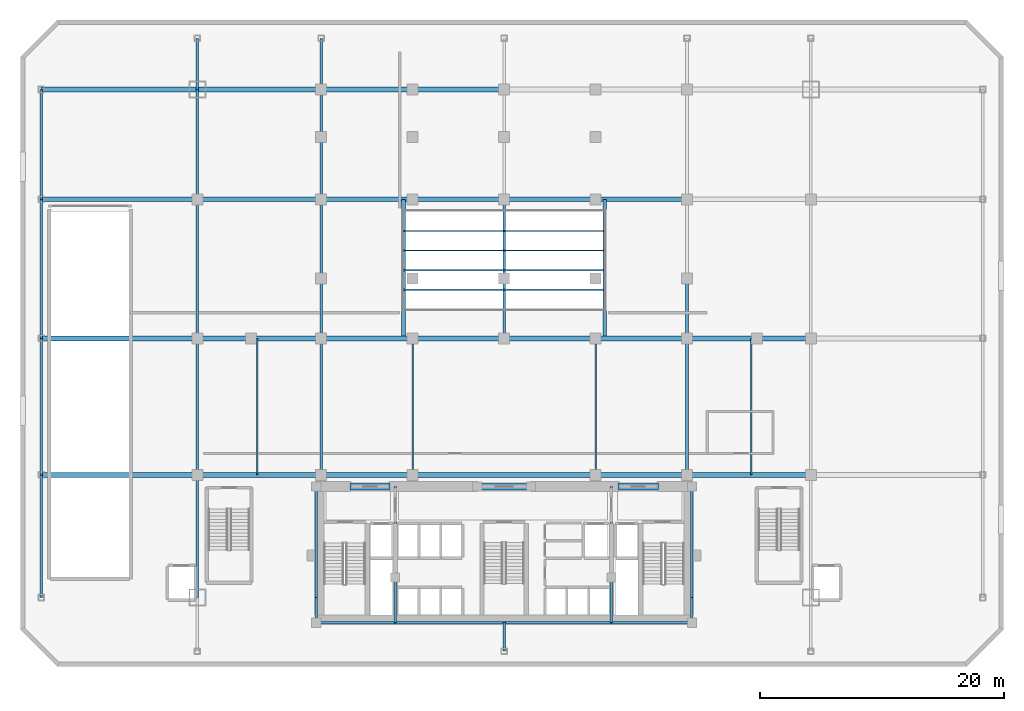
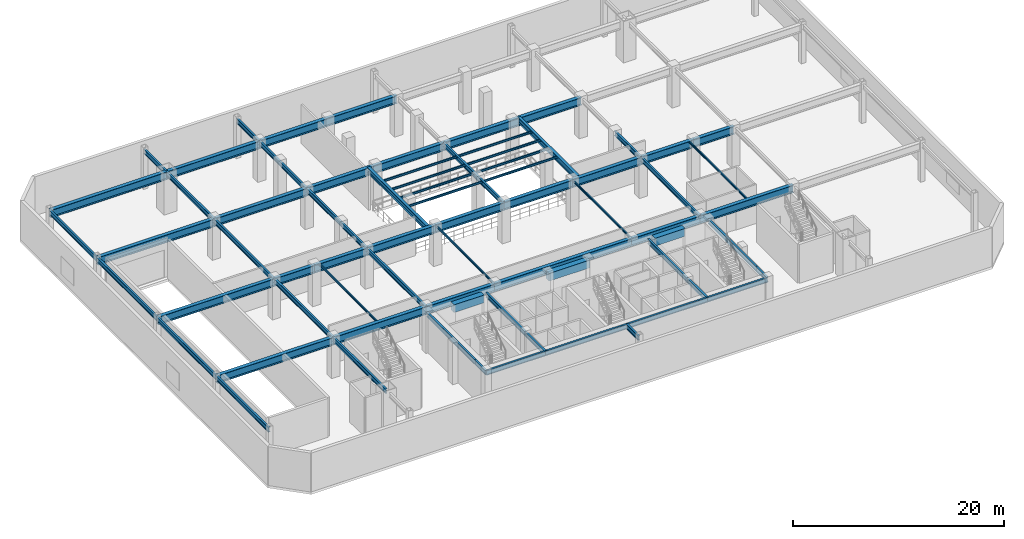
# One storey, part 3 of 10: 60 beams, 4 members.
"""IFC4 building model written with IfcOpenShell, lengths in metres."""

from ifc_helpers import new_model, si_unit, direction, frame, origin, origin_2d, place, context, subcontext, project, spatial, rectangle, i_section, extrude, material, material_profile, profile_set, type_object, element, save


model = new_model("IFC4")

# Units and contexts
model_context = context("Model", 3, precision=1e-05, world=origin(), true_north=direction((0.0, 1.0)))
body_context = subcontext(model_context, "Body", "Model", "MODEL_VIEW")
ifc_project = project(units=[si_unit("LENGTHUNIT", "METRE"), si_unit("AREAUNIT", "SQUARE_METRE"), si_unit("VOLUMEUNIT", "CUBIC_METRE"), si_unit("PLANEANGLEUNIT", "RADIAN"), si_unit("MASSUNIT", "GRAM", prefix="KILO")], contexts=[model_context])

# Site, building, storey
site_placement = place(None, origin())
site = spatial("IfcSite", under=ifc_project, at=site_placement, CompositionType="ELEMENT")
building_placement = place(site_placement, origin())
building = spatial("IfcBuilding", under=site, at=building_placement, Name="Ventersveld Concourse Tower", CompositionType="ELEMENT")
storey_placement = place(building_placement, frame((0.0, 0.0, 15.0)))
storey = spatial("IfcBuildingStorey", under=building, at=storey_placement, Name="L03", CompositionType="ELEMENT", Elevation=15.0)

# Beams
ifc_material_1 = material(Name="Concrete C60/75", Category="concrete")
ifc_material_profile_1 = material_profile(ifc_material_1, rectangle(XDim=0.60009765625, YDim=0.89990234375, at=origin_2d()), Name="RC 600x900")
ifc_profile_set_1 = profile_set([ifc_material_profile_1], Name="Concrete C60/75")
beam_type_1 = type_object("IfcBeamType", Name="CB-RC600x900L", PredefinedType="LINTEL", material=ifc_profile_set_1)
beam_1_placement = place(storey_placement, frame((16.10009765625, 11.449951171875, 4.050048828125), z_axis=(1.0, 0.0, 0.0), x_axis=(0.0, 1.0, 0.0)))
element("IfcBeam", 1, at=beam_1_placement, inside=storey, type_object=beam_type_1, Name="L03 Core Coupling Lintel Beam 1", PredefinedType="LINTEL", context=body_context, shape_type="SweptSolid", body=[
    extrude(rectangle(XDim=0.60009765625, YDim=0.89990234375, at=origin_2d()), origin(), (0.0, 0.0, 1.0), 3.2998046875),
])
beam_2_placement = place(storey_placement, frame((26.5, 11.449951171875, 4.050048828125), z_axis=(1.0, 0.0, 0.0), x_axis=(0.0, 1.0, 0.0)))
element("IfcBeam", 2, at=beam_2_placement, inside=storey, type_object=beam_type_1, Name="L03 Core Coupling Lintel Beam 2", PredefinedType="LINTEL", context=body_context, shape_type="SweptSolid", body=[
    extrude(rectangle(XDim=0.60009765625, YDim=0.89990234375, at=origin_2d()), origin(), (0.0, 0.0, 1.0), 4.5),
])
beam_3_placement = place(storey_placement, frame((38.10009765625, 11.449951171875, 4.050048828125), z_axis=(1.0, 0.0, 0.0), x_axis=(0.0, 1.0, 0.0)))
element("IfcBeam", 3, at=beam_3_placement, inside=storey, type_object=beam_type_1, Name="L03 Core Coupling Lintel Beam 3", PredefinedType="LINTEL", context=body_context, shape_type="SweptSolid", body=[
    extrude(rectangle(XDim=0.60009765625, YDim=0.89990234375, at=origin_2d()), origin(), (0.0, 0.0, 1.0), 3.2998046875),
])
ifc_material_2 = material(Name="Structural steel S355J2", Category="steel")
ifc_material_profile_2 = material_profile(ifc_material_2, i_section(OverallWidth=0.39990234375, OverallDepth=0.89990234375, WebThickness=0.02197265625, FlangeThickness=0.035888671875, at=origin_2d()), Name="PG 900x400x36")
ifc_profile_set_2 = profile_set([ifc_material_profile_2], Name="Structural steel S355J2")
beam_type_2 = type_object("IfcBeamType", Name="GRD-PG900", PredefinedType="USERDEFINED", material=ifc_profile_set_2)
beam_4_placement = place(storey_placement, frame((-9.199951171875, 12.39990234375, 4.050048828125), z_axis=(1.0, 0.0, 0.0), x_axis=(0.0, 1.0, 0.0)))
element("IfcBeam", 4, at=beam_4_placement, inside=storey, type_object=beam_type_2, Name="L03 Podium Primary Girder Y=12.4m", ObjectType="GIRDER", PredefinedType="USERDEFINED", context=body_context, shape_type="SweptSolid", body=[
    extrude(i_section(OverallWidth=0.39990234375, OverallDepth=0.89990234375, WebThickness=0.02197265625, FlangeThickness=0.035888671875, at=origin_2d()), origin(), (0.0, 0.0, 1.0), 12.800048828125),
])
beam_5_placement = place(storey_placement, frame((3.60009765625, 12.39990234375, 4.050048828125), z_axis=(1.0, 0.0, 0.0), x_axis=(0.0, 1.0, 0.0)))
element("IfcBeam", 5, at=beam_5_placement, inside=storey, type_object=beam_type_2, Name="L03 Podium Primary Girder Y=12.4m", ObjectType="GIRDER", PredefinedType="USERDEFINED", context=body_context, shape_type="SweptSolid", body=[
    extrude(i_section(OverallWidth=0.39990234375, OverallDepth=0.89990234375, WebThickness=0.02197265625, FlangeThickness=0.035888671875, at=origin_2d()), origin(), (0.0, 0.0, 1.0), 10.14990234375),
])
beam_6_placement = place(storey_placement, frame((13.75, 12.39990234375, 4.050048828125), z_axis=(1.0, 0.0, 0.0), x_axis=(0.0, 1.0, 0.0)))
element("IfcBeam", 6, at=beam_6_placement, inside=storey, type_object=beam_type_2, Name="L03 Podium Primary Girder Y=12.4m", ObjectType="GIRDER", PredefinedType="USERDEFINED", context=body_context, shape_type="SweptSolid", body=[
    extrude(i_section(OverallWidth=0.39990234375, OverallDepth=0.89990234375, WebThickness=0.02197265625, FlangeThickness=0.035888671875, at=origin_2d()), origin(), (0.0, 0.0, 1.0), 7.5),
])
beam_7_placement = place(storey_placement, frame((21.25, 12.39990234375, 4.050048828125), z_axis=(1.0, 0.0, 0.0), x_axis=(0.0, 1.0, 0.0)))
element("IfcBeam", 7, at=beam_7_placement, inside=storey, type_object=beam_type_2, Name="L03 Podium Primary Girder Y=12.4m", ObjectType="GIRDER", PredefinedType="USERDEFINED", context=body_context, shape_type="SweptSolid", body=[
    extrude(i_section(OverallWidth=0.39990234375, OverallDepth=0.89990234375, WebThickness=0.02197265625, FlangeThickness=0.035888671875, at=origin_2d()), origin(), (0.0, 0.0, 1.0), 15.0),
])
beam_8_placement = place(storey_placement, frame((36.25, 12.39990234375, 4.050048828125), z_axis=(1.0, 0.0, 0.0), x_axis=(0.0, 1.0, 0.0)))
element("IfcBeam", 8, at=beam_8_placement, inside=storey, type_object=beam_type_2, Name="L03 Podium Primary Girder Y=12.4m", ObjectType="GIRDER", PredefinedType="USERDEFINED", context=body_context, shape_type="SweptSolid", body=[
    extrude(i_section(OverallWidth=0.39990234375, OverallDepth=0.89990234375, WebThickness=0.02197265625, FlangeThickness=0.035888671875, at=origin_2d()), origin(), (0.0, 0.0, 1.0), 7.5),
])
beam_9_placement = place(storey_placement, frame((43.75, 12.39990234375, 4.050048828125), z_axis=(1.0, 0.0, 0.0), x_axis=(0.0, 1.0, 0.0)))
element("IfcBeam", 9, at=beam_9_placement, inside=storey, type_object=beam_type_2, Name="L03 Podium Primary Girder Y=12.4m", ObjectType="GIRDER", PredefinedType="USERDEFINED", context=body_context, shape_type="SweptSolid", body=[
    extrude(i_section(OverallWidth=0.39990234375, OverallDepth=0.89990234375, WebThickness=0.02197265625, FlangeThickness=0.035888671875, at=origin_2d()), origin(), (0.0, 0.0, 1.0), 10.14990234375),
])
beam_10_placement = place(storey_placement, frame((-9.199951171875, 23.60009765625, 4.050048828125), z_axis=(1.0, 0.0, 0.0), x_axis=(0.0, 1.0, 0.0)))
element("IfcBeam", 10, at=beam_10_placement, inside=storey, type_object=beam_type_2, Name="L03 Podium Primary Girder Y=23.6m", ObjectType="GIRDER", PredefinedType="USERDEFINED", context=body_context, shape_type="SweptSolid", body=[
    extrude(i_section(OverallWidth=0.39990234375, OverallDepth=0.89990234375, WebThickness=0.02197265625, FlangeThickness=0.035888671875, at=origin_2d()), origin(), (0.0, 0.0, 1.0), 12.800048828125),
])
beam_11_placement = place(storey_placement, frame((3.60009765625, 23.60009765625, 4.050048828125), z_axis=(1.0, 0.0, 0.0), x_axis=(0.0, 1.0, 0.0)))
element("IfcBeam", 11, at=beam_11_placement, inside=storey, type_object=beam_type_2, Name="L03 Podium Primary Girder Y=23.6m", ObjectType="GIRDER", PredefinedType="USERDEFINED", context=body_context, shape_type="SweptSolid", body=[
    extrude(i_section(OverallWidth=0.39990234375, OverallDepth=0.89990234375, WebThickness=0.02197265625, FlangeThickness=0.035888671875, at=origin_2d()), origin(), (0.0, 0.0, 1.0), 4.39990234375),
])
beam_12_placement = place(storey_placement, frame((8.0, 23.60009765625, 4.050048828125), z_axis=(1.0, 0.0, 0.0), x_axis=(0.0, 1.0, 0.0)))
element("IfcBeam", 12, at=beam_12_placement, inside=storey, type_object=beam_type_2, Name="L03 Podium Primary Girder Y=23.6m", ObjectType="GIRDER", PredefinedType="USERDEFINED", context=body_context, shape_type="SweptSolid", body=[
    extrude(i_section(OverallWidth=0.39990234375, OverallDepth=0.89990234375, WebThickness=0.02197265625, FlangeThickness=0.035888671875, at=origin_2d()), origin(), (0.0, 0.0, 1.0), 5.75),
])
for number, where, z_axis, x_axis, name in (
    (13, (13.75, 23.60009765625, 4.050048828125), (1.0, 0.0, 0.0), (0.0, 1.0, 0.0), "L03 Podium Primary Girder Y=23.6m"),
    (14, (21.25, 23.60009765625, 4.050048828125), (1.0, 0.0, 0.0), (0.0, 1.0, 0.0), "L03 Podium Primary Girder Y=23.6m"),
    (15, (28.75, 23.60009765625, 4.050048828125), (1.0, 0.0, 0.0), (0.0, 1.0, 0.0), "L03 Podium Primary Girder Y=23.6m"),
    (16, (36.25, 23.60009765625, 4.050048828125), (1.0, 0.0, 0.0), (0.0, 1.0, 0.0), "L03 Podium Primary Girder Y=23.6m"),
):
    element("IfcBeam", number, at=place(storey_placement, frame(where, z_axis=z_axis, x_axis=x_axis)), inside=storey, type_object=beam_type_2, Name=name, ObjectType="GIRDER", PredefinedType="USERDEFINED", context=body_context, shape_type="SweptSolid", body=[
        extrude(i_section(OverallWidth=0.39990234375, OverallDepth=0.89990234375, WebThickness=0.02197265625, FlangeThickness=0.035888671875, at=origin_2d()), origin(), (0.0, 0.0, 1.0), 7.5),
    ])
beam_13_placement = place(storey_placement, frame((43.75, 23.60009765625, 4.050048828125), z_axis=(1.0, 0.0, 0.0), x_axis=(0.0, 1.0, 0.0)))
element("IfcBeam", 17, at=beam_13_placement, inside=storey, type_object=beam_type_2, Name="L03 Podium Primary Girder Y=23.6m", ObjectType="GIRDER", PredefinedType="USERDEFINED", context=body_context, shape_type="SweptSolid", body=[
    extrude(i_section(OverallWidth=0.39990234375, OverallDepth=0.89990234375, WebThickness=0.02197265625, FlangeThickness=0.035888671875, at=origin_2d()), origin(), (0.0, 0.0, 1.0), 5.75),
])
beam_14_placement = place(storey_placement, frame((49.5, 23.60009765625, 4.050048828125), z_axis=(1.0, 0.0, 0.0), x_axis=(0.0, 1.0, 0.0)))
element("IfcBeam", 18, at=beam_14_placement, inside=storey, type_object=beam_type_2, Name="L03 Podium Primary Girder Y=23.6m", ObjectType="GIRDER", PredefinedType="USERDEFINED", context=body_context, shape_type="SweptSolid", body=[
    extrude(i_section(OverallWidth=0.39990234375, OverallDepth=0.89990234375, WebThickness=0.02197265625, FlangeThickness=0.035888671875, at=origin_2d()), origin(), (0.0, 0.0, 1.0), 4.39990234375),
])
beam_15_placement = place(storey_placement, frame((-9.199951171875, 35.0, 4.050048828125), z_axis=(1.0, 0.0, 0.0), x_axis=(0.0, 1.0, 0.0)))
element("IfcBeam", 19, at=beam_15_placement, inside=storey, type_object=beam_type_2, Name="L03 Podium Primary Girder Y=35.0m", ObjectType="GIRDER", PredefinedType="USERDEFINED", context=body_context, shape_type="SweptSolid", body=[
    extrude(i_section(OverallWidth=0.39990234375, OverallDepth=0.89990234375, WebThickness=0.02197265625, FlangeThickness=0.035888671875, at=origin_2d()), origin(), (0.0, 0.0, 1.0), 12.800048828125),
])
beam_16_placement = place(storey_placement, frame((3.60009765625, 35.0, 4.050048828125), z_axis=(1.0, 0.0, 0.0), x_axis=(0.0, 1.0, 0.0)))
element("IfcBeam", 20, at=beam_16_placement, inside=storey, type_object=beam_type_2, Name="L03 Podium Primary Girder Y=35.0m", ObjectType="GIRDER", PredefinedType="USERDEFINED", context=body_context, shape_type="SweptSolid", body=[
    extrude(i_section(OverallWidth=0.39990234375, OverallDepth=0.89990234375, WebThickness=0.02197265625, FlangeThickness=0.035888671875, at=origin_2d()), origin(), (0.0, 0.0, 1.0), 10.14990234375),
])
for number, where, z_axis, x_axis, name in (
    (21, (13.75, 35.0, 4.050048828125), (1.0, 0.0, 0.0), (0.0, 1.0, 0.0), "L03 Podium Primary Girder Y=35.0m"),
    (22, (28.75, 35.0, 4.050048828125), (1.0, 0.0, 0.0), (0.0, 1.0, 0.0), "L03 Podium Primary Girder Y=35.0m"),
):
    element("IfcBeam", number, at=place(storey_placement, frame(where, z_axis=z_axis, x_axis=x_axis)), inside=storey, type_object=beam_type_2, Name=name, ObjectType="GIRDER", PredefinedType="USERDEFINED", context=body_context, shape_type="SweptSolid", body=[
        extrude(i_section(OverallWidth=0.39990234375, OverallDepth=0.89990234375, WebThickness=0.02197265625, FlangeThickness=0.035888671875, at=origin_2d()), origin(), (0.0, 0.0, 1.0), 15.0),
    ])
beam_17_placement = place(storey_placement, frame((-9.199951171875, 44.0, 4.050048828125), z_axis=(1.0, 0.0, 0.0), x_axis=(0.0, 1.0, 0.0)))
element("IfcBeam", 23, at=beam_17_placement, inside=storey, type_object=beam_type_2, Name="L03 Podium Primary Girder Y=44.0m", ObjectType="GIRDER", PredefinedType="USERDEFINED", context=body_context, shape_type="SweptSolid", body=[
    extrude(i_section(OverallWidth=0.39990234375, OverallDepth=0.89990234375, WebThickness=0.02197265625, FlangeThickness=0.035888671875, at=origin_2d()), origin(), (0.0, 0.0, 1.0), 12.800048828125),
])
beam_18_placement = place(storey_placement, frame((3.60009765625, 44.0, 4.050048828125), z_axis=(1.0, 0.0, 0.0), x_axis=(0.0, 1.0, 0.0)))
element("IfcBeam", 24, at=beam_18_placement, inside=storey, type_object=beam_type_2, Name="L03 Podium Primary Girder Y=44.0m", ObjectType="GIRDER", PredefinedType="USERDEFINED", context=body_context, shape_type="SweptSolid", body=[
    extrude(i_section(OverallWidth=0.39990234375, OverallDepth=0.89990234375, WebThickness=0.02197265625, FlangeThickness=0.035888671875, at=origin_2d()), origin(), (0.0, 0.0, 1.0), 10.14990234375),
])
beam_19_placement = place(storey_placement, frame((13.75, 44.0, 4.050048828125), z_axis=(1.0, 0.0, 0.0), x_axis=(0.0, 1.0, 0.0)))
element("IfcBeam", 25, at=beam_19_placement, inside=storey, type_object=beam_type_2, Name="L03 Podium Primary Girder Y=44.0m", ObjectType="GIRDER", PredefinedType="USERDEFINED", context=body_context, shape_type="SweptSolid", body=[
    extrude(i_section(OverallWidth=0.39990234375, OverallDepth=0.89990234375, WebThickness=0.02197265625, FlangeThickness=0.035888671875, at=origin_2d()), origin(), (0.0, 0.0, 1.0), 15.0),
])
ifc_material_profile_3 = material_profile(ifc_material_2, i_section(OverallWidth=0.209228515625, OverallDepth=0.533203125, WebThickness=0.010009765625, FlangeThickness=0.015625, FilletRadius=0.0126953125, at=origin_2d()), Name="UB 533x210x92")
ifc_profile_set_3 = profile_set([ifc_material_profile_3], Name="Structural steel S355J2")
beam_type_3 = type_object("IfcBeamType", Name="GRD-UB533", PredefinedType="T_BEAM", material=ifc_profile_set_3)
beam_20_placement = place(storey_placement, frame((-9.199951171875, 2.35009765625, 4.2333984375), z_axis=(0.0, 1.0, 0.0), x_axis=(-1.0, 0.0, 0.0)))
element("IfcBeam", 26, at=beam_20_placement, inside=storey, type_object=beam_type_3, Name="L03 Podium N-S Girder X=-9.20m", PredefinedType="T_BEAM", context=body_context, shape_type="SweptSolid", body=[
    extrude(i_section(OverallWidth=0.209228515625, OverallDepth=0.533203125, WebThickness=0.010009765625, FlangeThickness=0.015625, FilletRadius=0.0126953125, at=origin_2d()), origin(), (0.0, 0.0, 1.0), 10.0498046875),
])
beam_21_placement = place(storey_placement, frame((-9.199951171875, 12.39990234375, 4.2333984375), z_axis=(0.0, 1.0, 0.0), x_axis=(-1.0, 0.0, 0.0)))
element("IfcBeam", 27, at=beam_21_placement, inside=storey, type_object=beam_type_3, Name="L03 Podium N-S Girder X=-9.20m", PredefinedType="T_BEAM", context=body_context, shape_type="SweptSolid", body=[
    extrude(i_section(OverallWidth=0.209228515625, OverallDepth=0.533203125, WebThickness=0.010009765625, FlangeThickness=0.015625, FilletRadius=0.0126953125, at=origin_2d()), origin(), (0.0, 0.0, 1.0), 11.2001953125),
])
beam_22_placement = place(storey_placement, frame((-9.199951171875, 23.60009765625, 4.2333984375), z_axis=(0.0, 1.0, 0.0), x_axis=(-1.0, 0.0, 0.0)))
element("IfcBeam", 28, at=beam_22_placement, inside=storey, type_object=beam_type_3, Name="L03 Podium N-S Girder X=-9.20m", PredefinedType="T_BEAM", context=body_context, shape_type="SweptSolid", body=[
    extrude(i_section(OverallWidth=0.209228515625, OverallDepth=0.533203125, WebThickness=0.010009765625, FlangeThickness=0.015625, FilletRadius=0.0126953125, at=origin_2d()), origin(), (0.0, 0.0, 1.0), 11.39990234375),
])
beam_23_placement = place(storey_placement, frame((-9.199951171875, 35.0, 4.2333984375), z_axis=(0.0, 1.0, 0.0), x_axis=(-1.0, 0.0, 0.0)))
element("IfcBeam", 29, at=beam_23_placement, inside=storey, type_object=beam_type_3, Name="L03 Podium N-S Girder X=-9.20m", PredefinedType="T_BEAM", context=body_context, shape_type="SweptSolid", body=[
    extrude(i_section(OverallWidth=0.209228515625, OverallDepth=0.533203125, WebThickness=0.010009765625, FlangeThickness=0.015625, FilletRadius=0.0126953125, at=origin_2d()), origin(), (0.0, 0.0, 1.0), 9.0),
])
beam_24_placement = place(storey_placement, frame((3.60009765625, 2.35009765625, 4.2333984375), z_axis=(0.0, 1.0, 0.0), x_axis=(-1.0, 0.0, 0.0)))
element("IfcBeam", 30, at=beam_24_placement, inside=storey, type_object=beam_type_3, Name="L03 Podium N-S Girder X=3.60m", PredefinedType="T_BEAM", context=body_context, shape_type="SweptSolid", body=[
    extrude(i_section(OverallWidth=0.209228515625, OverallDepth=0.533203125, WebThickness=0.010009765625, FlangeThickness=0.015625, FilletRadius=0.0126953125, at=origin_2d()), origin(), (0.0, 0.0, 1.0), 10.0498046875),
])
beam_25_placement = place(storey_placement, frame((3.60009765625, 12.39990234375, 4.2333984375), z_axis=(0.0, 1.0, 0.0), x_axis=(-1.0, 0.0, 0.0)))
element("IfcBeam", 31, at=beam_25_placement, inside=storey, type_object=beam_type_3, Name="L03 Podium N-S Girder X=3.60m", PredefinedType="T_BEAM", context=body_context, shape_type="SweptSolid", body=[
    extrude(i_section(OverallWidth=0.209228515625, OverallDepth=0.533203125, WebThickness=0.010009765625, FlangeThickness=0.015625, FilletRadius=0.0126953125, at=origin_2d()), origin(), (0.0, 0.0, 1.0), 11.2001953125),
])
beam_26_placement = place(storey_placement, frame((3.60009765625, 23.60009765625, 4.2333984375), z_axis=(0.0, 1.0, 0.0), x_axis=(-1.0, 0.0, 0.0)))
element("IfcBeam", 32, at=beam_26_placement, inside=storey, type_object=beam_type_3, Name="L03 Podium N-S Girder X=3.60m", PredefinedType="T_BEAM", context=body_context, shape_type="SweptSolid", body=[
    extrude(i_section(OverallWidth=0.209228515625, OverallDepth=0.533203125, WebThickness=0.010009765625, FlangeThickness=0.015625, FilletRadius=0.0126953125, at=origin_2d()), origin(), (0.0, 0.0, 1.0), 11.39990234375),
])
beam_27_placement = place(storey_placement, frame((3.60009765625, 35.0, 4.2333984375), z_axis=(0.0, 1.0, 0.0), x_axis=(-1.0, 0.0, 0.0)))
element("IfcBeam", 33, at=beam_27_placement, inside=storey, type_object=beam_type_3, Name="L03 Podium N-S Girder X=3.60m", PredefinedType="T_BEAM", context=body_context, shape_type="SweptSolid", body=[
    extrude(i_section(OverallWidth=0.209228515625, OverallDepth=0.533203125, WebThickness=0.010009765625, FlangeThickness=0.015625, FilletRadius=0.0126953125, at=origin_2d()), origin(), (0.0, 0.0, 1.0), 9.0),
])
beam_28_placement = place(storey_placement, frame((3.60009765625, 44.0, 4.2333984375), z_axis=(0.0, 1.0, 0.0), x_axis=(-1.0, 0.0, 0.0)))
element("IfcBeam", 34, at=beam_28_placement, inside=storey, type_object=beam_type_3, Name="L03 Podium N-S Girder X=3.60m", PredefinedType="T_BEAM", context=body_context, shape_type="SweptSolid", body=[
    extrude(i_section(OverallWidth=0.209228515625, OverallDepth=0.533203125, WebThickness=0.010009765625, FlangeThickness=0.015625, FilletRadius=0.0126953125, at=origin_2d()), origin(), (0.0, 0.0, 1.0), 4.199951171875),
])
beam_29_placement = place(storey_placement, frame((13.75, 12.39990234375, 4.2333984375), z_axis=(0.0, 1.0, 0.0), x_axis=(-1.0, 0.0, 0.0)))
element("IfcBeam", 35, at=beam_29_placement, inside=storey, type_object=beam_type_3, Name="L03 Podium N-S Girder X=13.75m", PredefinedType="T_BEAM", context=body_context, shape_type="SweptSolid", body=[
    extrude(i_section(OverallWidth=0.209228515625, OverallDepth=0.533203125, WebThickness=0.010009765625, FlangeThickness=0.015625, FilletRadius=0.0126953125, at=origin_2d()), origin(), (0.0, 0.0, 1.0), 11.2001953125),
])
beam_30_placement = place(storey_placement, frame((13.75, 23.60009765625, 4.2333984375), z_axis=(0.0, 1.0, 0.0), x_axis=(-1.0, 0.0, 0.0)))
element("IfcBeam", 36, at=beam_30_placement, inside=storey, type_object=beam_type_3, Name="L03 Podium N-S Girder X=13.75m", PredefinedType="T_BEAM", context=body_context, shape_type="SweptSolid", body=[
    extrude(i_section(OverallWidth=0.209228515625, OverallDepth=0.533203125, WebThickness=0.010009765625, FlangeThickness=0.015625, FilletRadius=0.0126953125, at=origin_2d()), origin(), (0.0, 0.0, 1.0), 4.89990234375),
])
beam_31_placement = place(storey_placement, frame((13.75, 28.5, 4.2333984375), z_axis=(0.0, 1.0, 0.0), x_axis=(-1.0, 0.0, 0.0)))
element("IfcBeam", 37, at=beam_31_placement, inside=storey, type_object=beam_type_3, Name="L03 Podium N-S Girder X=13.75m", PredefinedType="T_BEAM", context=body_context, shape_type="SweptSolid", body=[
    extrude(i_section(OverallWidth=0.209228515625, OverallDepth=0.533203125, WebThickness=0.010009765625, FlangeThickness=0.015625, FilletRadius=0.0126953125, at=origin_2d()), origin(), (0.0, 0.0, 1.0), 6.5),
])
beam_32_placement = place(storey_placement, frame((13.75, 35.0, 4.2333984375), z_axis=(0.0, 1.0, 0.0), x_axis=(-1.0, 0.0, 0.0)))
element("IfcBeam", 38, at=beam_32_placement, inside=storey, type_object=beam_type_3, Name="L03 Podium N-S Girder X=13.75m", PredefinedType="T_BEAM", context=body_context, shape_type="SweptSolid", body=[
    extrude(i_section(OverallWidth=0.209228515625, OverallDepth=0.533203125, WebThickness=0.010009765625, FlangeThickness=0.015625, FilletRadius=0.0126953125, at=origin_2d()), origin(), (0.0, 0.0, 1.0), 9.0),
])
beam_33_placement = place(storey_placement, frame((13.75, 44.0, 4.2333984375), z_axis=(0.0, 1.0, 0.0), x_axis=(-1.0, 0.0, 0.0)))
element("IfcBeam", 39, at=beam_33_placement, inside=storey, type_object=beam_type_3, Name="L03 Podium N-S Girder X=13.75m", PredefinedType="T_BEAM", context=body_context, shape_type="SweptSolid", body=[
    extrude(i_section(OverallWidth=0.209228515625, OverallDepth=0.533203125, WebThickness=0.010009765625, FlangeThickness=0.015625, FilletRadius=0.0126953125, at=origin_2d()), origin(), (0.0, 0.0, 1.0), 4.199951171875),
])
beam_34_placement = place(storey_placement, frame((28.75, -2.050048828125, 4.2333984375), z_axis=(0.0, 1.0, 0.0), x_axis=(-1.0, 0.0, 0.0)))
element("IfcBeam", 40, at=beam_34_placement, inside=storey, type_object=beam_type_3, Name="L03 Podium N-S Girder X=28.75m", PredefinedType="T_BEAM", context=body_context, shape_type="SweptSolid", body=[
    extrude(i_section(OverallWidth=0.209228515625, OverallDepth=0.533203125, WebThickness=0.010009765625, FlangeThickness=0.015625, FilletRadius=0.0126953125, at=origin_2d()), origin(), (0.0, 0.0, 1.0), 2.330078125),
])
beam_35_placement = place(storey_placement, frame((28.75, 23.60009765625, 4.2333984375), z_axis=(0.0, 1.0, 0.0), x_axis=(-1.0, 0.0, 0.0)))
element("IfcBeam", 41, at=beam_35_placement, inside=storey, type_object=beam_type_3, Name="L03 Podium N-S Girder X=28.75m", PredefinedType="T_BEAM", context=body_context, shape_type="SweptSolid", body=[
    extrude(i_section(OverallWidth=0.209228515625, OverallDepth=0.533203125, WebThickness=0.010009765625, FlangeThickness=0.015625, FilletRadius=0.0126953125, at=origin_2d()), origin(), (0.0, 0.0, 1.0), 11.39990234375),
])
beam_36_placement = place(storey_placement, frame((43.75, 12.39990234375, 4.2333984375), z_axis=(0.0, 1.0, 0.0), x_axis=(-1.0, 0.0, 0.0)))
element("IfcBeam", 42, at=beam_36_placement, inside=storey, type_object=beam_type_3, Name="L03 Podium N-S Girder X=43.75m", PredefinedType="T_BEAM", context=body_context, shape_type="SweptSolid", body=[
    extrude(i_section(OverallWidth=0.209228515625, OverallDepth=0.533203125, WebThickness=0.010009765625, FlangeThickness=0.015625, FilletRadius=0.0126953125, at=origin_2d()), origin(), (0.0, 0.0, 1.0), 11.2001953125),
])
beam_37_placement = place(storey_placement, frame((43.75, 23.60009765625, 4.2333984375), z_axis=(0.0, 1.0, 0.0), x_axis=(-1.0, 0.0, 0.0)))
element("IfcBeam", 43, at=beam_37_placement, inside=storey, type_object=beam_type_3, Name="L03 Podium N-S Girder X=43.75m", PredefinedType="T_BEAM", context=body_context, shape_type="SweptSolid", body=[
    extrude(i_section(OverallWidth=0.209228515625, OverallDepth=0.533203125, WebThickness=0.010009765625, FlangeThickness=0.015625, FilletRadius=0.0126953125, at=origin_2d()), origin(), (0.0, 0.0, 1.0), 4.89990234375),
])
ifc_material_profile_4 = material_profile(ifc_material_2, i_section(OverallWidth=0.2119140625, OverallDepth=0.54443359375, WebThickness=0.0126953125, FlangeThickness=0.021240234375, FilletRadius=0.0126953125, at=origin_2d()), Name="UB 533x210x122")
ifc_profile_set_4 = profile_set([ifc_material_profile_4], Name="Structural steel S355J2")
beam_type_4 = type_object("IfcBeamType", Name="GRD-UB533H", PredefinedType="T_BEAM", material=ifc_profile_set_4)
beam_38_placement = place(storey_placement, frame((13.35009765625, 0.280029296875, 4.227783203125), z_axis=(0.0, 1.0, 0.0), x_axis=(-1.0, 0.0, 0.0)))
element("IfcBeam", 44, at=beam_38_placement, inside=storey, type_object=beam_type_4, Name="L03 Core West Tie Beam S", PredefinedType="T_BEAM", context=body_context, shape_type="SweptSolid", body=[
    extrude(i_section(OverallWidth=0.2119140625, OverallDepth=0.54443359375, WebThickness=0.0126953125, FlangeThickness=0.021240234375, FilletRadius=0.0126953125, at=origin_2d()), origin(), (0.0, 0.0, 1.0), 2.070068359375),
])
beam_39_placement = place(storey_placement, frame((13.35009765625, 2.35009765625, 4.227783203125), z_axis=(0.0, 1.0, 0.0), x_axis=(-1.0, 0.0, 0.0)))
element("IfcBeam", 45, at=beam_39_placement, inside=storey, type_object=beam_type_4, Name="L03 Core West Tie Beam N", PredefinedType="T_BEAM", context=body_context, shape_type="SweptSolid", body=[
    extrude(i_section(OverallWidth=0.2119140625, OverallDepth=0.54443359375, WebThickness=0.0126953125, FlangeThickness=0.021240234375, FilletRadius=0.0126953125, at=origin_2d()), origin(), (0.0, 0.0, 1.0), 9.099853515625),
])
beam_40_placement = place(storey_placement, frame((44.14990234375, 0.280029296875, 4.227783203125), z_axis=(0.0, 1.0, 0.0), x_axis=(-1.0, 0.0, 0.0)))
element("IfcBeam", 46, at=beam_40_placement, inside=storey, type_object=beam_type_4, Name="L03 Core East Tie Beam S", PredefinedType="T_BEAM", context=body_context, shape_type="SweptSolid", body=[
    extrude(i_section(OverallWidth=0.2119140625, OverallDepth=0.54443359375, WebThickness=0.0126953125, FlangeThickness=0.021240234375, FilletRadius=0.0126953125, at=origin_2d()), origin(), (0.0, 0.0, 1.0), 2.070068359375),
])
beam_41_placement = place(storey_placement, frame((44.14990234375, 2.35009765625, 4.227783203125), z_axis=(0.0, 1.0, 0.0), x_axis=(-1.0, 0.0, 0.0)))
element("IfcBeam", 47, at=beam_41_placement, inside=storey, type_object=beam_type_4, Name="L03 Core East Tie Beam N", PredefinedType="T_BEAM", context=body_context, shape_type="SweptSolid", body=[
    extrude(i_section(OverallWidth=0.2119140625, OverallDepth=0.54443359375, WebThickness=0.0126953125, FlangeThickness=0.021240234375, FilletRadius=0.0126953125, at=origin_2d()), origin(), (0.0, 0.0, 1.0), 9.099853515625),
])
beam_42_placement = place(storey_placement, frame((13.35009765625, 0.280029296875, 4.227783203125), z_axis=(1.0, 0.0, 0.0), x_axis=(0.0, 1.0, 0.0)))
element("IfcBeam", 48, at=beam_42_placement, inside=storey, type_object=beam_type_4, Name="L03 Core South Tie Beam W", PredefinedType="T_BEAM", context=body_context, shape_type="SweptSolid", body=[
    extrude(i_section(OverallWidth=0.2119140625, OverallDepth=0.54443359375, WebThickness=0.0126953125, FlangeThickness=0.021240234375, FilletRadius=0.0126953125, at=origin_2d()), origin(), (0.0, 0.0, 1.0), 6.469970703125),
])
beam_43_placement = place(storey_placement, frame((19.820068359375, 0.280029296875, 4.227783203125), z_axis=(1.0, 0.0, 0.0), x_axis=(0.0, 1.0, 0.0)))
element("IfcBeam", 49, at=beam_43_placement, inside=storey, type_object=beam_type_4, Name="L03 Core South Tie Beam C", PredefinedType="T_BEAM", context=body_context, shape_type="SweptSolid", body=[
    extrude(i_section(OverallWidth=0.2119140625, OverallDepth=0.54443359375, WebThickness=0.0126953125, FlangeThickness=0.021240234375, FilletRadius=0.0126953125, at=origin_2d()), origin(), (0.0, 0.0, 1.0), 17.72998046875),
])
beam_44_placement = place(storey_placement, frame((37.550048828125, 0.280029296875, 4.227783203125), z_axis=(1.0, 0.0, 0.0), x_axis=(0.0, 1.0, 0.0)))
element("IfcBeam", 50, at=beam_44_placement, inside=storey, type_object=beam_type_4, Name="L03 Core South Tie Beam E", PredefinedType="T_BEAM", context=body_context, shape_type="SweptSolid", body=[
    extrude(i_section(OverallWidth=0.2119140625, OverallDepth=0.54443359375, WebThickness=0.0126953125, FlangeThickness=0.021240234375, FilletRadius=0.0126953125, at=origin_2d()), origin(), (0.0, 0.0, 1.0), 6.599853515625),
])
beam_45_placement = place(storey_placement, frame((19.820068359375, 0.280029296875, 4.227783203125), z_axis=(0.0, 1.0, 0.0), x_axis=(-1.0, 0.0, 0.0)))
element("IfcBeam", 51, at=beam_45_placement, inside=storey, type_object=beam_type_4, Name="L03 Core Spine N-S Tie Beam W1", PredefinedType="T_BEAM", context=body_context, shape_type="SweptSolid", body=[
    extrude(i_section(OverallWidth=0.2119140625, OverallDepth=0.54443359375, WebThickness=0.0126953125, FlangeThickness=0.021240234375, FilletRadius=0.0126953125, at=origin_2d()), origin(), (0.0, 0.0, 1.0), 3.719970703125),
])
beam_46_placement = place(storey_placement, frame((19.820068359375, 4.0, 4.227783203125), z_axis=(0.0, 1.0, 0.0), x_axis=(-1.0, 0.0, 0.0)))
element("IfcBeam", 52, at=beam_46_placement, inside=storey, type_object=beam_type_4, Name="L03 Core Spine N-S Tie Beam W2", PredefinedType="T_BEAM", context=body_context, shape_type="SweptSolid", body=[
    extrude(i_section(OverallWidth=0.2119140625, OverallDepth=0.54443359375, WebThickness=0.0126953125, FlangeThickness=0.021240234375, FilletRadius=0.0126953125, at=origin_2d()), origin(), (0.0, 0.0, 1.0), 7.449951171875),
])
beam_47_placement = place(storey_placement, frame((37.550048828125, 0.280029296875, 4.227783203125), z_axis=(0.0, 1.0, 0.0), x_axis=(-1.0, 0.0, 0.0)))
element("IfcBeam", 53, at=beam_47_placement, inside=storey, type_object=beam_type_4, Name="L03 Core Spine N-S Tie Beam E1", PredefinedType="T_BEAM", context=body_context, shape_type="SweptSolid", body=[
    extrude(i_section(OverallWidth=0.2119140625, OverallDepth=0.54443359375, WebThickness=0.0126953125, FlangeThickness=0.021240234375, FilletRadius=0.0126953125, at=origin_2d()), origin(), (0.0, 0.0, 1.0), 3.719970703125),
])
beam_48_placement = place(storey_placement, frame((37.550048828125, 4.0, 4.227783203125), z_axis=(0.0, 1.0, 0.0), x_axis=(-1.0, 0.0, 0.0)))
element("IfcBeam", 54, at=beam_48_placement, inside=storey, type_object=beam_type_4, Name="L03 Core Spine N-S Tie Beam E2", PredefinedType="T_BEAM", context=body_context, shape_type="SweptSolid", body=[
    extrude(i_section(OverallWidth=0.2119140625, OverallDepth=0.54443359375, WebThickness=0.0126953125, FlangeThickness=0.021240234375, FilletRadius=0.0126953125, at=origin_2d()), origin(), (0.0, 0.0, 1.0), 7.449951171875),
])
ifc_material_profile_5 = material_profile(ifc_material_2, i_section(OverallWidth=0.311279296875, OverallDepth=0.6357421875, WebThickness=0.018310546875, FlangeThickness=0.031494140625, FilletRadius=0.0166015625, at=origin_2d()), Name="UB 610x305x238")
ifc_profile_set_5 = profile_set([ifc_material_profile_5], Name="Structural steel S355J2")
beam_type_5 = type_object("IfcBeamType", Name="GRD-UB610H", PredefinedType="USERDEFINED", material=ifc_profile_set_5)
for number, where, z_axis, x_axis, name in (
    (55, (20.5, 23.60009765625, 4.18212890625), (0.0, 1.0, 0.0), (-1.0, 0.0, 0.0), "L03 Atrium West Trimmer"),
    (56, (37.0, 23.60009765625, 4.18212890625), (0.0, 1.0, 0.0), (-1.0, 0.0, 0.0), "L03 Atrium East Trimmer"),
):
    element("IfcBeam", number, at=place(storey_placement, frame(where, z_axis=z_axis, x_axis=x_axis)), inside=storey, type_object=beam_type_5, Name=name, ObjectType="GIRDER", PredefinedType="USERDEFINED", context=body_context, shape_type="SweptSolid", body=[
        extrude(i_section(OverallWidth=0.311279296875, OverallDepth=0.6357421875, WebThickness=0.018310546875, FlangeThickness=0.031494140625, FilletRadius=0.0166015625, at=origin_2d()), origin(), (0.0, 0.0, 1.0), 11.39990234375),
    ])
ifc_material_profile_6 = material_profile(ifc_material_2, i_section(OverallWidth=0.1201171875, OverallDepth=0.239990234375, WebThickness=0.006103515625, FlangeThickness=0.009765625, FilletRadius=0.014892578125, at=origin_2d()), Name="IPE 240")
ifc_profile_set_6 = profile_set([ifc_material_profile_6], Name="Structural steel S355J2")
beam_type_6 = type_object("IfcBeamType", Name="JST-IPE240", PredefinedType="JOIST", material=ifc_profile_set_6)
for number, where, z_axis, x_axis, name in (
    (57, (8.5, 12.39990234375, 4.3798828125), (0.0, 1.0, 0.0), (-1.0, 0.0, 0.0), "L03 Podium Floor Joist X=8.50m"),
    (58, (21.25, 12.39990234375, 4.3798828125), (0.0, 1.0, 0.0), (-1.0, 0.0, 0.0), "L03 Podium Floor Joist X=21.25m"),
    (59, (36.25, 12.39990234375, 4.3798828125), (0.0, 1.0, 0.0), (-1.0, 0.0, 0.0), "L03 Podium Floor Joist X=36.25m"),
    (60, (49.0, 12.39990234375, 4.3798828125), (0.0, 1.0, 0.0), (-1.0, 0.0, 0.0), "L03 Podium Floor Joist X=49.00m"),
):
    element("IfcBeam", number, at=place(storey_placement, frame(where, z_axis=z_axis, x_axis=x_axis)), inside=storey, type_object=beam_type_6, Name=name, PredefinedType="JOIST", context=body_context, shape_type="SweptSolid", body=[
        extrude(i_section(OverallWidth=0.1201171875, OverallDepth=0.239990234375, WebThickness=0.006103515625, FlangeThickness=0.009765625, FilletRadius=0.014892578125, at=origin_2d()), origin(), (0.0, 0.0, 1.0), 11.2001953125),
    ])

# Members
ifc_material_profile_7 = material_profile(ifc_material_2, i_section(OverallWidth=0.1201171875, OverallDepth=0.239990234375, WebThickness=0.006103515625, FlangeThickness=0.009765625, FilletRadius=0.014892578125, at=origin_2d()), Name="IPE 240")
ifc_profile_set_7 = profile_set([ifc_material_profile_7], Name="Structural steel S355J2")
member_type = type_object("IfcMemberType", Name="PUR-IPE240", PredefinedType="PURLIN", material=ifc_profile_set_7)
for number, where, z_axis, x_axis, name in (
    (61, (20.5, 27.60009765625, 4.3798828125), (1.0, 0.0, 0.0), (0.0, 1.0, 0.0), "L03 Atrium Skylight Purlin 1"),
    (62, (20.5, 29.199951171875, 4.3798828125), (1.0, 0.0, 0.0), (0.0, 1.0, 0.0), "L03 Atrium Skylight Purlin 2"),
    (63, (20.5, 30.800048828125, 4.3798828125), (1.0, 0.0, 0.0), (0.0, 1.0, 0.0), "L03 Atrium Skylight Purlin 3"),
    (64, (20.5, 32.39990234375, 4.3798828125), (1.0, 0.0, 0.0), (0.0, 1.0, 0.0), "L03 Atrium Skylight Purlin 4"),
):
    element("IfcMember", number, at=place(storey_placement, frame(where, z_axis=z_axis, x_axis=x_axis)), inside=storey, type_object=member_type, Name=name, PredefinedType="PURLIN", context=body_context, shape_type="SweptSolid", body=[
        extrude(i_section(OverallWidth=0.1201171875, OverallDepth=0.239990234375, WebThickness=0.006103515625, FlangeThickness=0.009765625, FilletRadius=0.014892578125, at=origin_2d()), origin(), (0.0, 0.0, 1.0), 16.5),
    ])

save(model, "model.ifc")
